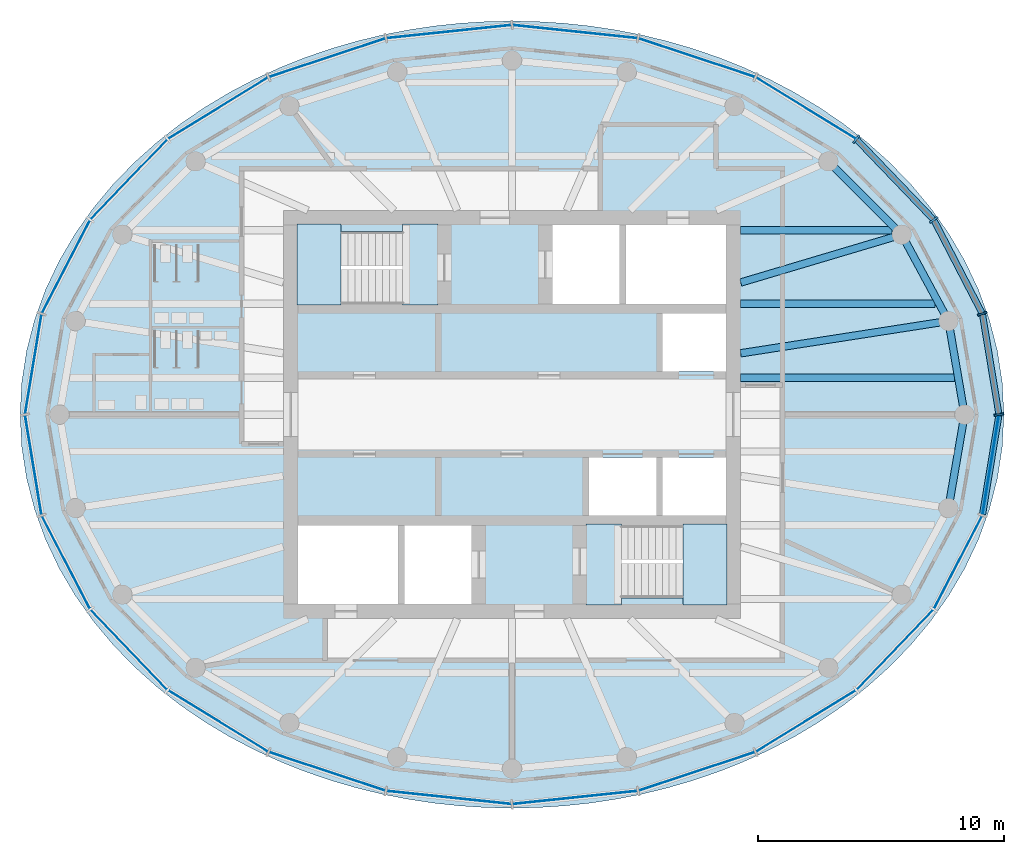
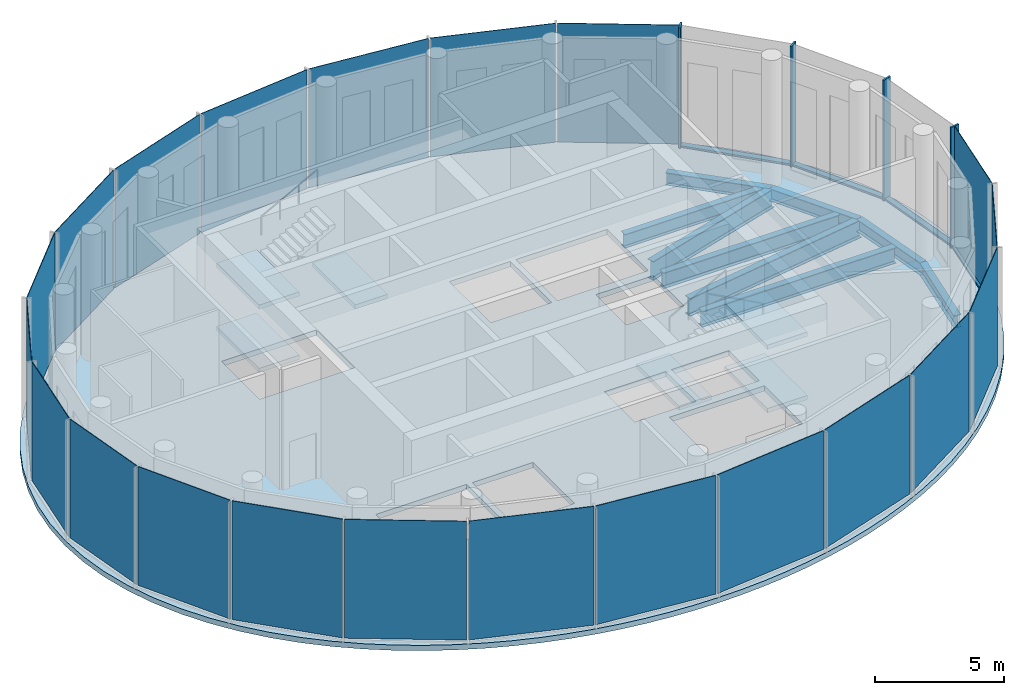
# One storey, part 3 of 11: 21 plates, 9 beams, 8 members, 7 slabs, 6 elements without a shape of their own.
"""IFC4 building model written with IfcOpenShell, lengths in metres."""

from ifc_helpers import new_model, si_unit, direction, frame, origin, origin_2d, place, context, subcontext, project, spatial, polyline, rectangle, i_section, outline, extrude, material, layer, layer_set, material_profile, profile_set, type_object, element, aggregate, save


model = new_model("IFC4")

# Units and contexts
model_context = context("Model", 3, precision=1e-05, world=origin(), true_north=direction((0.0, 1.0)))
body_context = subcontext(model_context, "Body", "Model", "MODEL_VIEW")
ifc_project = project(units=[si_unit("LENGTHUNIT", "METRE"), si_unit("AREAUNIT", "SQUARE_METRE"), si_unit("VOLUMEUNIT", "CUBIC_METRE"), si_unit("PLANEANGLEUNIT", "RADIAN"), si_unit("MASSUNIT", "GRAM", prefix="KILO")], contexts=[model_context])

# Site, building, storey
site_placement = place(None, origin())
site = spatial("IfcSite", under=ifc_project, at=site_placement, CompositionType="ELEMENT")
building_placement = place(site_placement, origin())
building = spatial("IfcBuilding", under=site, at=building_placement, Name="Hankou Lantern Tower", CompositionType="ELEMENT")
storey_placement = place(building_placement, frame((0.0, 0.0, 242.699951171875)))
storey = spatial("IfcBuildingStorey", under=building, at=storey_placement, Name="L65", CompositionType="ELEMENT", Elevation=242.699951171875)

# Beams
ifc_material_1 = material(Name="Steel Q355B", Category="steel")
ifc_material_profile_1 = material_profile(ifc_material_1, i_section(OverallWidth=0.300048828125, OverallDepth=0.587890625, WebThickness=0.011962890625, FlangeThickness=0.02001953125, FilletRadius=0.01806640625, at=origin_2d()), Name="HM588x300x12x20")
ifc_profile_set_1 = profile_set([ifc_material_profile_1], Name="Steel Q355B")
beam_type_1 = type_object("IfcBeamType", Name="EB16 RING BEAM HM588x300x12x20", PredefinedType="SPANDREL", material=ifc_profile_set_1)
beam_1_placement = place(storey_placement, frame((18.39990234375, 0.0, -0.5439453125), z_axis=(-0.169320180804, 0.98556109723, 0.0), x_axis=(-0.98556109723, -0.169320180804, 0.0)))
element("IfcBeam", 1, at=beam_1_placement, inside=storey, type_object=beam_type_1, Name="Ring beam R01-R02 L65", PredefinedType="SPANDREL", context=body_context, shape_type="SweptSolid", body=[
    extrude(i_section(OverallWidth=0.300048828125, OverallDepth=0.587890625, WebThickness=0.011962890625, FlangeThickness=0.02001953125, FilletRadius=0.01806640625, at=origin_2d()), origin(), (0.0, 0.0, 1.0), 3.85986328125),
])
beam_2_placement = place(storey_placement, frame((17.746337890625, 3.80419921875, -0.5439453125), z_axis=(-0.475556651725, 0.879685097634, 0.0), x_axis=(-0.879685097634, -0.475556651725, 0.0)))
element("IfcBeam", 2, at=beam_2_placement, inside=storey, type_object=beam_type_1, Name="Ring beam R02-R03 L65", PredefinedType="SPANDREL", context=body_context, shape_type="SweptSolid", body=[
    extrude(i_section(OverallWidth=0.300048828125, OverallDepth=0.587890625, WebThickness=0.011962890625, FlangeThickness=0.02001953125, FilletRadius=0.01806640625, at=origin_2d()), origin(), (0.0, 0.0, 1.0), 3.99560546875),
])
beam_3_placement = place(storey_placement, frame((15.84619140625, 7.319091796875, -0.5439453125), z_axis=(-0.707657475865, 0.706555657293, 0.0), x_axis=(-0.706555657293, -0.707657475865, 0.0)))
element("IfcBeam", 3, at=beam_3_placement, inside=storey, type_object=beam_type_1, Name="Ring beam R03-R04 L65", PredefinedType="SPANDREL", context=body_context, shape_type="SweptSolid", body=[
    extrude(i_section(OverallWidth=0.300048828125, OverallDepth=0.587890625, WebThickness=0.011962890625, FlangeThickness=0.02001953125, FilletRadius=0.01806640625, at=origin_2d()), origin(), (0.0, 0.0, 1.0), 4.2099609375),
])
beam_4_placement = place(storey_placement, frame((17.746337890625, -3.80419921875, -0.5439453125), z_axis=(0.169320180804, 0.98556109723, 0.0), x_axis=(-0.98556109723, 0.169320180804, 0.0)))
element("IfcBeam", 4, at=beam_4_placement, inside=storey, type_object=beam_type_1, Name="Ring beam R24-R01 L65", PredefinedType="SPANDREL", context=body_context, shape_type="SweptSolid", body=[
    extrude(i_section(OverallWidth=0.300048828125, OverallDepth=0.587890625, WebThickness=0.011962890625, FlangeThickness=0.02001953125, FilletRadius=0.01806640625, at=origin_2d()), origin(), (0.0, 0.0, 1.0), 3.85986328125),
])

# Curtain wall, members
ifc_material_2 = material(Name="Glass, dark grey tinted laminated", Category="glass")
curtain_wall_type = type_object("IfcCurtainWallType", Name="CWE OUTER SKIN CROWN", PredefinedType="USERDEFINED", material=ifc_material_2)
curtain_wall_1_placement = place(storey_placement, origin())
curtain_wall_1 = element("IfcCurtainWall", 5, at=curtain_wall_1_placement, inside=storey, type_object=curtain_wall_type, Name="CWE L65 OS1", ObjectType="OUTER SKIN CROWN", PredefinedType="USERDEFINED")
ifc_material_3 = material(Name="Aluminium, black anodised", Category="aluminium")
ifc_material_profile_2 = material_profile(ifc_material_3, rectangle(XDim=0.080078125, YDim=0.39990234375, at=origin_2d()), Name="MU3 80X400")
ifc_profile_set_2 = profile_set([ifc_material_profile_2], Name="Aluminium, black anodised")
member_type_1 = type_object("IfcMemberType", Name="MU3 OUTER SKIN TALL MULLION 80X400", PredefinedType="MULLION", material=ifc_profile_set_2)
member_1_placement = place(storey_placement, frame((19.800048828125, 0.0, 0.0), z_axis=(0.0, 0.0, 1.0), x_axis=(-0.162381515188, 0.986728049427, 0.0)))
member_1 = element("IfcMember", 6, at=member_1_placement, type_object=member_type_1, Name="CWE mullion 1", PredefinedType="MULLION", context=body_context, shape_type="SweptSolid", body=[
    extrude(rectangle(XDim=0.080078125, YDim=0.39990234375, at=origin_2d()), origin(), (0.0, 0.0, 1.0), 5.699951171875),
])
member_2_placement = place(storey_placement, frame((19.125244140625, 4.099609375, 0.0), z_axis=(0.0, 0.0, 1.0), x_axis=(-0.317595577365, 0.94822626479, 0.0)))
member_2 = element("IfcMember", 7, at=member_2_placement, type_object=member_type_1, Name="CWE mullion 2", PredefinedType="MULLION", context=body_context, shape_type="SweptSolid", body=[
    extrude(rectangle(XDim=0.080078125, YDim=0.39990234375, at=origin_2d()), origin(), (0.0, 0.0, 1.0), 5.699951171875),
])
member_3_placement = place(storey_placement, frame((17.147216796875, 7.919921875, 0.0), z_axis=(0.0, 0.0, 1.0), x_axis=(-0.585205735974, 0.810884854084, 0.0)))
member_3 = element("IfcMember", 8, at=member_3_placement, type_object=member_type_1, Name="CWE mullion 3", PredefinedType="MULLION", context=body_context, shape_type="SweptSolid", body=[
    extrude(rectangle(XDim=0.080078125, YDim=0.39990234375, at=origin_2d()), origin(), (0.0, 0.0, 1.0), 5.699951171875),
])
member_4_placement = place(storey_placement, frame((14.000732421875, 11.20068359375, 0.0), z_axis=(0.0, 0.0, 1.0), x_axis=(-0.780868809444, 0.624695047553, 0.0)))
member_4 = element("IfcMember", 9, at=member_4_placement, type_object=member_type_1, Name="CWE mullion 4", PredefinedType="MULLION", context=body_context, shape_type="SweptSolid", body=[
    extrude(rectangle(XDim=0.080078125, YDim=0.39990234375, at=origin_2d()), origin(), (0.0, 0.0, 1.0), 5.699951171875),
])

# Beams
ifc_material_4 = material(Name="Steel Q355B", Category="steel")
ifc_material_profile_3 = material_profile(ifc_material_4, i_section(OverallWidth=0.300048828125, OverallDepth=0.85009765625, WebThickness=0.01611328125, FlangeThickness=0.027099609375, FilletRadius=0.01806640625, at=origin_2d()), Name="HN850x300x16x27")
ifc_profile_set_3 = profile_set([ifc_material_profile_3], Name="Steel Q355B")
beam_type_2 = type_object("IfcBeamType", Name="RB12 RADIAL BEAM HN850x300x16x27", PredefinedType="BEAM", material=ifc_profile_set_3)
beam_5_placement = place(storey_placement, frame((9.300048828125, 2.491943359375, -0.675048828125), z_axis=(0.988145083079, 0.153522945472, 0.0), x_axis=(-0.153522945472, 0.988145083079, 0.0)))
element("IfcBeam", 10, at=beam_5_placement, inside=storey, type_object=beam_type_2, Name="Radial beam R02 L65", PredefinedType="BEAM", context=body_context, shape_type="SweptSolid", body=[
    extrude(i_section(OverallWidth=0.300048828125, OverallDepth=0.85009765625, WebThickness=0.01611328125, FlangeThickness=0.027099609375, FilletRadius=0.01806640625, at=origin_2d()), origin(), (0.0, 0.0, 1.0), 8.547607421875),
])
ifc_material_5 = material(Name="Steel Q355B", Category="steel")
ifc_material_profile_4 = material_profile(ifc_material_5, i_section(OverallWidth=0.300048828125, OverallDepth=0.89990234375, WebThickness=0.01611328125, FlangeThickness=0.028076171875, FilletRadius=0.01806640625, at=origin_2d()), Name="HN900x300x16x28")
ifc_profile_set_4 = profile_set([ifc_material_profile_4], Name="Steel Q355B")
beam_type_3 = type_object("IfcBeamType", Name="RB13 RADIAL BEAM HN900x300x16x28", PredefinedType="BEAM", material=ifc_profile_set_4)
beam_6_placement = place(storey_placement, frame((9.300048828125, 5.369384765625, -0.699951171875), z_axis=(0.958394006021, 0.285448645511, 0.0), x_axis=(-0.285448645511, 0.958394006021, 0.0)))
element("IfcBeam", 11, at=beam_6_placement, inside=storey, type_object=beam_type_3, Name="Radial beam R03 L65", PredefinedType="BEAM", context=body_context, shape_type="SweptSolid", body=[
    extrude(i_section(OverallWidth=0.300048828125, OverallDepth=0.89990234375, WebThickness=0.01611328125, FlangeThickness=0.028076171875, FilletRadius=0.01806640625, at=origin_2d()), origin(), (0.0, 0.0, 1.0), 6.830322265625),
])
ifc_material_6 = material(Name="Steel Q355B", Category="steel")
ifc_material_profile_5 = material_profile(ifc_material_6, i_section(OverallWidth=0.300048828125, OverallDepth=0.75, WebThickness=0.012939453125, FlangeThickness=0.02392578125, FilletRadius=0.01806640625, at=origin_2d()), Name="HN750x300x13x24")
ifc_profile_set_5 = profile_set([ifc_material_profile_5], Name="Steel Q355B")
beam_type_4 = type_object("IfcBeamType", Name="SB10 SECONDARY BEAM HN750x300x13x24", PredefinedType="JOIST", material=ifc_profile_set_5)
beam_7_placement = place(storey_placement, frame((9.300048828125, 1.5, -0.625), z_axis=(1.0, 0.0, 0.0), x_axis=(0.0, 1.0, 0.0)))
element("IfcBeam", 12, at=beam_7_placement, inside=storey, type_object=beam_type_4, Name="Floor joist J014 L65", PredefinedType="JOIST", context=body_context, shape_type="SweptSolid", body=[
    extrude(i_section(OverallWidth=0.300048828125, OverallDepth=0.75, WebThickness=0.012939453125, FlangeThickness=0.02392578125, FilletRadius=0.01806640625, at=origin_2d()), origin(), (0.0, 0.0, 1.0), 8.68994140625),
])
beam_8_placement = place(storey_placement, frame((9.300048828125, 4.5, -0.625), z_axis=(1.0, 0.0, 0.0), x_axis=(0.0, 1.0, 0.0)))
element("IfcBeam", 13, at=beam_8_placement, inside=storey, type_object=beam_type_4, Name="Floor joist J016 L65", PredefinedType="JOIST", context=body_context, shape_type="SweptSolid", body=[
    extrude(i_section(OverallWidth=0.300048828125, OverallDepth=0.75, WebThickness=0.012939453125, FlangeThickness=0.02392578125, FilletRadius=0.01806640625, at=origin_2d()), origin(), (0.0, 0.0, 1.0), 7.8994140625),
])
ifc_material_7 = material(Name="Steel Q355B", Category="steel")
ifc_material_profile_6 = material_profile(ifc_material_7, i_section(OverallWidth=0.300048828125, OverallDepth=0.64990234375, WebThickness=0.010986328125, FlangeThickness=0.01708984375, FilletRadius=0.01806640625, at=origin_2d()), Name="HN650x300x11x17")
ifc_profile_set_6 = profile_set([ifc_material_profile_6], Name="Steel Q355B")
beam_type_5 = type_object("IfcBeamType", Name="SB8 SECONDARY BEAM HN650x300x11x17", PredefinedType="JOIST", material=ifc_profile_set_6)
beam_9_placement = place(storey_placement, frame((9.300048828125, 7.5, -0.574951171875), z_axis=(1.0, 0.0, 0.0), x_axis=(0.0, 1.0, 0.0)))
element("IfcBeam", 14, at=beam_9_placement, inside=storey, type_object=beam_type_5, Name="Floor joist J018 L65", PredefinedType="JOIST", context=body_context, shape_type="SweptSolid", body=[
    extrude(i_section(OverallWidth=0.300048828125, OverallDepth=0.64990234375, WebThickness=0.010986328125, FlangeThickness=0.01708984375, FilletRadius=0.01806640625, at=origin_2d()), origin(), (0.0, 0.0, 1.0), 6.15234375),
])

# Member
ifc_material_8 = material(Name="Aluminium, black anodised", Category="aluminium")
ifc_material_profile_7 = material_profile(ifc_material_8, rectangle(XDim=0.25, YDim=0.080078125, at=origin_2d()), Name="TR3 250X80")
ifc_profile_set_7 = profile_set([ifc_material_profile_7], Name="Aluminium, black anodised")
member_type_2 = type_object("IfcMemberType", Name="TR3 OUTER SKIN TALL TRANSOM 250X80", PredefinedType="USERDEFINED", material=ifc_profile_set_7)
member_5_placement = place(storey_placement, frame((19.79345703125, 0.03955078125, 0.0400390625), z_axis=(-0.16236802655, 0.986730269098, 0.0), x_axis=(-0.986730269098, -0.16236802655, 0.0)))
member_5 = element("IfcMember", 15, at=member_5_placement, type_object=member_type_2, Name="CWE transom 1", ObjectType="TRANSOM", PredefinedType="USERDEFINED", context=body_context, shape_type="SweptSolid", body=[
    extrude(rectangle(XDim=0.25, YDim=0.080078125, at=origin_2d()), origin(), (0.0, 0.0, 1.0), 4.07470703125),
])

member_6_placement = place(storey_placement, frame((19.10693359375, 4.13525390625, 0.0400390625), z_axis=(-0.459775263862, 0.888035307148, 0.0), x_axis=(-0.888035307148, -0.459775263862, 0.0)))
member_6 = element("IfcMember", 16, at=member_6_placement, type_object=member_type_2, Name="CWE transom 2", ObjectType="TRANSOM", PredefinedType="USERDEFINED", context=body_context, shape_type="SweptSolid", body=[
    extrude(rectangle(XDim=0.25, YDim=0.080078125, at=origin_2d()), origin(), (0.0, 0.0, 1.0), 4.221923828125),
])

member_7_placement = place(storey_placement, frame((17.11962890625, 7.948974609375, 0.0400390625), z_axis=(-0.692247265369, 0.72166039353, 0.0), x_axis=(-0.72166039353, -0.692247265369, 0.0)))
member_7 = element("IfcMember", 17, at=member_7_placement, type_object=member_type_2, Name="CWE transom 3", ObjectType="TRANSOM", PredefinedType="USERDEFINED", context=body_context, shape_type="SweptSolid", body=[
    extrude(rectangle(XDim=0.25, YDim=0.080078125, at=origin_2d()), origin(), (0.0, 0.0, 1.0), 4.465576171875),
])

# Curtain wall, member
curtain_wall_2_placement = place(storey_placement, origin())
curtain_wall_2 = element("IfcCurtainWall", 18, at=curtain_wall_2_placement, inside=storey, type_object=curtain_wall_type, Name="CWE L65 OS4", ObjectType="OUTER SKIN CROWN", PredefinedType="USERDEFINED")
member_8_placement = place(storey_placement, frame((19.1318359375, -4.060302734375, 0.0400390625), z_axis=(0.16236802655, 0.986730269098, 0.0), x_axis=(-0.986730269098, 0.16236802655, 0.0)))
member_8 = element("IfcMember", 19, at=member_8_placement, type_object=member_type_2, Name="CWE transom 6", ObjectType="TRANSOM", PredefinedType="USERDEFINED", context=body_context, shape_type="SweptSolid", body=[
    extrude(rectangle(XDim=0.25, YDim=0.080078125, at=origin_2d()), origin(), (0.0, 0.0, 1.0), 4.07470703125),
])

# Plate
ifc_material_9 = material(Name="Glass, dark grey tinted laminated", Category="glass")
ifc_layer_1 = layer(ifc_material_9, 0.028076171875)
ifc_layer_set_1 = layer_set([ifc_layer_1], Name="Glass, dark grey tinted laminated")
plate_type = type_object("IfcPlateType", Name="PN3 OUTER SKIN TALL GLASS PANEL", PredefinedType="CURTAIN_PANEL", material=ifc_layer_set_1)
plate_1_placement = place(storey_placement, frame((11.950439453125, 12.459228515625, 0.080078125), z_axis=(0.0, 0.0, 1.0), x_axis=(-0.852237151549, 0.523155653242, 0.0)))
plate_1 = element("IfcPlate", 20, at=plate_1_placement, type_object=plate_type, Name="CWE glass panel 4", PredefinedType="CURTAIN_PANEL", context=body_context, shape_type="SweptSolid", body=[
    extrude(rectangle(XDim=4.731689453125, YDim=0.028076171875, at=origin_2d()), origin(), (0.0, 0.0, 1.0), 5.6201171875),
])

plate_2_placement = place(storey_placement, frame((7.51220703125, 14.509033203125, 0.080078125), z_axis=(0.0, 0.0, 1.0), x_axis=(-0.949240677293, 0.31455068999, 0.0)))
plate_2 = element("IfcPlate", 21, at=plate_2_placement, type_object=plate_type, Name="CWE glass panel 5", PredefinedType="CURTAIN_PANEL", context=body_context, shape_type="SweptSolid", body=[
    extrude(rectangle(XDim=4.95068359375, YDim=0.028076171875, at=origin_2d()), origin(), (0.0, 0.0, 1.0), 5.6201171875),
])

plate_3_placement = place(storey_placement, frame((2.562255859375, 15.570068359375, 0.080078125), z_axis=(0.0, 0.0, 1.0), x_axis=(-0.994499359107, 0.104742659579, 0.0)))
plate_3 = element("IfcPlate", 22, at=plate_3_placement, type_object=plate_type, Name="CWE glass panel 6", PredefinedType="CURTAIN_PANEL", context=body_context, shape_type="SweptSolid", body=[
    extrude(rectangle(XDim=5.072998046875, YDim=0.028076171875, at=origin_2d()), origin(), (0.0, 0.0, 1.0), 5.6201171875),
])

aggregate(curtain_wall_1, [member_1, member_2, member_3, member_4, member_5, member_6, member_7, plate_1, plate_2, plate_3])

# Curtain wall, plates
curtain_wall_3_placement = place(storey_placement, origin())
curtain_wall_3 = element("IfcCurtainWall", 23, at=curtain_wall_3_placement, inside=storey, type_object=curtain_wall_type, Name="CWE L65 OS2", ObjectType="OUTER SKIN CROWN", PredefinedType="USERDEFINED")
plate_4_placement = place(storey_placement, frame((-2.562255859375, 15.570068359375, 0.080078125), z_axis=(0.0, 0.0, 1.0), x_axis=(-0.994499359107, -0.104742659579, 0.0)))
plate_4 = element("IfcPlate", 24, at=plate_4_placement, type_object=plate_type, Name="CWE glass panel 1", PredefinedType="CURTAIN_PANEL", context=body_context, shape_type="SweptSolid", body=[
    extrude(rectangle(XDim=5.072998046875, YDim=0.028076171875, at=origin_2d()), origin(), (0.0, 0.0, 1.0), 5.6201171875),
])
plate_5_placement = place(storey_placement, frame((-7.51220703125, 14.509033203125, 0.080078125), z_axis=(0.0, 0.0, 1.0), x_axis=(-0.949240677293, -0.31455068999, 0.0)))
plate_5 = element("IfcPlate", 25, at=plate_5_placement, type_object=plate_type, Name="CWE glass panel 2", PredefinedType="CURTAIN_PANEL", context=body_context, shape_type="SweptSolid", body=[
    extrude(rectangle(XDim=4.95068359375, YDim=0.028076171875, at=origin_2d()), origin(), (0.0, 0.0, 1.0), 5.6201171875),
])
plate_6_placement = place(storey_placement, frame((-11.950439453125, 12.459228515625, 0.080078125), z_axis=(0.0, 0.0, 1.0), x_axis=(-0.852237151549, -0.523155653242, 0.0)))
plate_6 = element("IfcPlate", 26, at=plate_6_placement, type_object=plate_type, Name="CWE glass panel 3", PredefinedType="CURTAIN_PANEL", context=body_context, shape_type="SweptSolid", body=[
    extrude(rectangle(XDim=4.731689453125, YDim=0.028076171875, at=origin_2d()), origin(), (0.0, 0.0, 1.0), 5.6201171875),
])
plate_7_placement = place(storey_placement, frame((-15.573974609375, 9.560302734375, 0.080078125), z_axis=(0.0, 0.0, 1.0), x_axis=(-0.692215809936, -0.721690565599, 0.0)))
plate_7 = element("IfcPlate", 27, at=plate_7_placement, type_object=plate_type, Name="CWE glass panel 4", PredefinedType="CURTAIN_PANEL", context=body_context, shape_type="SweptSolid", body=[
    extrude(rectangle(XDim=4.465576171875, YDim=0.028076171875, at=origin_2d()), origin(), (0.0, 0.0, 1.0), 5.6201171875),
])
plate_8_placement = place(storey_placement, frame((-18.13623046875, 6.009765625, 0.080078125), z_axis=(0.0, 0.0, 1.0), x_axis=(-0.459791091957, -0.888027112062, 0.0)))
plate_8 = element("IfcPlate", 28, at=plate_8_placement, type_object=plate_type, Name="CWE glass panel 5", PredefinedType="CURTAIN_PANEL", context=body_context, shape_type="SweptSolid", body=[
    extrude(rectangle(XDim=4.221923828125, YDim=0.028076171875, at=origin_2d()), origin(), (0.0, 0.0, 1.0), 5.6201171875),
])
plate_9_placement = place(storey_placement, frame((-19.462646484375, 2.0498046875, 0.080078125), z_axis=(0.0, 0.0, 1.0), x_axis=(-0.162381515188, -0.986728049427, 0.0)))
plate_9 = element("IfcPlate", 29, at=plate_9_placement, type_object=plate_type, Name="CWE glass panel 6", PredefinedType="CURTAIN_PANEL", context=body_context, shape_type="SweptSolid", body=[
    extrude(rectangle(XDim=4.074951171875, YDim=0.028076171875, at=origin_2d()), origin(), (0.0, 0.0, 1.0), 5.6201171875),
])
aggregate(curtain_wall_3, [plate_4, plate_5, plate_6, plate_7, plate_8, plate_9])

curtain_wall_4_placement = place(storey_placement, origin())
curtain_wall_4 = element("IfcCurtainWall", 30, at=curtain_wall_4_placement, inside=storey, type_object=curtain_wall_type, Name="CWE L65 OS3", ObjectType="OUTER SKIN CROWN", PredefinedType="USERDEFINED")
plate_10_placement = place(storey_placement, frame((-19.462646484375, -2.0498046875, 0.080078125), z_axis=(0.0, 0.0, 1.0), x_axis=(0.162381515188, -0.986728049427, 0.0)))
plate_10 = element("IfcPlate", 31, at=plate_10_placement, type_object=plate_type, Name="CWE glass panel 1", PredefinedType="CURTAIN_PANEL", context=body_context, shape_type="SweptSolid", body=[
    extrude(rectangle(XDim=4.074951171875, YDim=0.028076171875, at=origin_2d()), origin(), (0.0, 0.0, 1.0), 5.6201171875),
])
plate_11_placement = place(storey_placement, frame((-18.13623046875, -6.009765625, 0.080078125), z_axis=(0.0, 0.0, 1.0), x_axis=(0.459791091957, -0.888027112062, 0.0)))
plate_11 = element("IfcPlate", 32, at=plate_11_placement, type_object=plate_type, Name="CWE glass panel 2", PredefinedType="CURTAIN_PANEL", context=body_context, shape_type="SweptSolid", body=[
    extrude(rectangle(XDim=4.221923828125, YDim=0.028076171875, at=origin_2d()), origin(), (0.0, 0.0, 1.0), 5.6201171875),
])
plate_12_placement = place(storey_placement, frame((-15.573974609375, -9.560302734375, 0.080078125), z_axis=(0.0, 0.0, 1.0), x_axis=(0.692215809936, -0.721690565599, 0.0)))
plate_12 = element("IfcPlate", 33, at=plate_12_placement, type_object=plate_type, Name="CWE glass panel 3", PredefinedType="CURTAIN_PANEL", context=body_context, shape_type="SweptSolid", body=[
    extrude(rectangle(XDim=4.465576171875, YDim=0.028076171875, at=origin_2d()), origin(), (0.0, 0.0, 1.0), 5.6201171875),
])
plate_13_placement = place(storey_placement, frame((-11.950439453125, -12.459228515625, 0.080078125), z_axis=(0.0, 0.0, 1.0), x_axis=(0.852237151549, -0.523155653242, 0.0)))
plate_13 = element("IfcPlate", 34, at=plate_13_placement, type_object=plate_type, Name="CWE glass panel 4", PredefinedType="CURTAIN_PANEL", context=body_context, shape_type="SweptSolid", body=[
    extrude(rectangle(XDim=4.731689453125, YDim=0.028076171875, at=origin_2d()), origin(), (0.0, 0.0, 1.0), 5.6201171875),
])
plate_14_placement = place(storey_placement, frame((-7.51220703125, -14.509033203125, 0.080078125), z_axis=(0.0, 0.0, 1.0), x_axis=(0.949240677293, -0.31455068999, 0.0)))
plate_14 = element("IfcPlate", 35, at=plate_14_placement, type_object=plate_type, Name="CWE glass panel 5", PredefinedType="CURTAIN_PANEL", context=body_context, shape_type="SweptSolid", body=[
    extrude(rectangle(XDim=4.95068359375, YDim=0.028076171875, at=origin_2d()), origin(), (0.0, 0.0, 1.0), 5.6201171875),
])
plate_15_placement = place(storey_placement, frame((-2.562255859375, -15.570068359375, 0.080078125), z_axis=(0.0, 0.0, 1.0), x_axis=(0.994499359107, -0.104742659579, 0.0)))
plate_15 = element("IfcPlate", 36, at=plate_15_placement, type_object=plate_type, Name="CWE glass panel 6", PredefinedType="CURTAIN_PANEL", context=body_context, shape_type="SweptSolid", body=[
    extrude(rectangle(XDim=5.072998046875, YDim=0.028076171875, at=origin_2d()), origin(), (0.0, 0.0, 1.0), 5.6201171875),
])
aggregate(curtain_wall_4, [plate_10, plate_11, plate_12, plate_13, plate_14, plate_15])

# Plate
plate_16_placement = place(storey_placement, frame((2.562255859375, -15.570068359375, 0.080078125), z_axis=(0.0, 0.0, 1.0), x_axis=(0.994499359107, 0.104742659579, 0.0)))
plate_16 = element("IfcPlate", 37, at=plate_16_placement, type_object=plate_type, Name="CWE glass panel 1", PredefinedType="CURTAIN_PANEL", context=body_context, shape_type="SweptSolid", body=[
    extrude(rectangle(XDim=5.072998046875, YDim=0.028076171875, at=origin_2d()), origin(), (0.0, 0.0, 1.0), 5.6201171875),
])

plate_17_placement = place(storey_placement, frame((7.51220703125, -14.509033203125, 0.080078125), z_axis=(0.0, 0.0, 1.0), x_axis=(0.949240677293, 0.31455068999, 0.0)))
plate_17 = element("IfcPlate", 38, at=plate_17_placement, type_object=plate_type, Name="CWE glass panel 2", PredefinedType="CURTAIN_PANEL", context=body_context, shape_type="SweptSolid", body=[
    extrude(rectangle(XDim=4.95068359375, YDim=0.028076171875, at=origin_2d()), origin(), (0.0, 0.0, 1.0), 5.6201171875),
])

plate_18_placement = place(storey_placement, frame((11.950439453125, -12.459228515625, 0.080078125), z_axis=(0.0, 0.0, 1.0), x_axis=(0.852237151549, 0.523155653242, 0.0)))
plate_18 = element("IfcPlate", 39, at=plate_18_placement, type_object=plate_type, Name="CWE glass panel 3", PredefinedType="CURTAIN_PANEL", context=body_context, shape_type="SweptSolid", body=[
    extrude(rectangle(XDim=4.731689453125, YDim=0.028076171875, at=origin_2d()), origin(), (0.0, 0.0, 1.0), 5.6201171875),
])

plate_19_placement = place(storey_placement, frame((15.573974609375, -9.560302734375, 0.080078125), z_axis=(0.0, 0.0, 1.0), x_axis=(0.692215809936, 0.721690565599, 0.0)))
plate_19 = element("IfcPlate", 40, at=plate_19_placement, type_object=plate_type, Name="CWE glass panel 4", PredefinedType="CURTAIN_PANEL", context=body_context, shape_type="SweptSolid", body=[
    extrude(rectangle(XDim=4.465576171875, YDim=0.028076171875, at=origin_2d()), origin(), (0.0, 0.0, 1.0), 5.6201171875),
])

plate_20_placement = place(storey_placement, frame((18.13623046875, -6.009765625, 0.080078125), z_axis=(0.0, 0.0, 1.0), x_axis=(0.459791091957, 0.888027112062, 0.0)))
plate_20 = element("IfcPlate", 41, at=plate_20_placement, type_object=plate_type, Name="CWE glass panel 5", PredefinedType="CURTAIN_PANEL", context=body_context, shape_type="SweptSolid", body=[
    extrude(rectangle(XDim=4.221923828125, YDim=0.028076171875, at=origin_2d()), origin(), (0.0, 0.0, 1.0), 5.6201171875),
])

plate_21_placement = place(storey_placement, frame((19.462646484375, -2.0498046875, 0.080078125), z_axis=(0.0, 0.0, 1.0), x_axis=(0.162381515188, 0.986728049427, 0.0)))
plate_21 = element("IfcPlate", 42, at=plate_21_placement, type_object=plate_type, Name="CWE glass panel 6", PredefinedType="CURTAIN_PANEL", context=body_context, shape_type="SweptSolid", body=[
    extrude(rectangle(XDim=4.074951171875, YDim=0.028076171875, at=origin_2d()), origin(), (0.0, 0.0, 1.0), 5.6201171875),
])

aggregate(curtain_wall_2, [plate_16, plate_17, plate_18, plate_19, plate_20, member_8, plate_21])

# Slab
ifc_material_10 = material(Name="Concrete C50", Category="concrete")
ifc_layer_2 = layer(ifc_material_10, 0.25)
ifc_layer_set_2 = layer_set([ifc_layer_2], Name="Concrete C50")
slab_type_1 = type_object("IfcSlabType", Name="S2 HEAVY FLOOR SLAB 250", PredefinedType="FLOOR", material=ifc_layer_set_2)
slab_1_placement = place(storey_placement, frame((0.0, 0.0, -0.25)))
element("IfcSlab", 43, at=slab_1_placement, inside=storey, type_object=slab_type_1, Name="Floor slab L65", PredefinedType="FLOOR", context=body_context, shape_type="SweptSolid", body=[
    extrude(outline(polyline([(20.0, 0.0), (19.93310546875, 1.306396484375), (19.734619140625, 2.59814453125), (19.408935546875, 3.860595703125), (18.964599609375, 5.08154296875), (18.4111328125, 6.249755859375), (17.760498046875, 7.356689453125), (17.025146484375, 8.39599609375), (16.2177734375, 9.36328125), (15.35009765625, 10.256591796875), (14.433837890625, 11.075439453125), (13.478759765625, 11.820556640625), (12.493896484375, 12.493896484375), (11.486572265625, 13.097900390625), (10.463134765625, 13.6357421875), (9.428466796875, 14.110595703125), (8.38623046875, 14.525390625), (7.33984375, 14.883544921875), (6.291015625, 15.187744140625), (5.241455078125, 15.440673828125), (4.19189453125, 15.64453125), (3.14306640625, 15.80126953125), (2.094970703125, 15.912109375), (1.04736328125, 15.97802734375), (0.0, 16.0), (-1.04736328125, 15.97802734375), (-2.094970703125, 15.912109375), (-3.14306640625, 15.80126953125), (-4.19189453125, 15.64453125), (-5.241455078125, 15.440673828125), (-6.291015625, 15.187744140625), (-7.33984375, 14.883544921875), (-8.38623046875, 14.525390625), (-9.428466796875, 14.110595703125), (-10.463134765625, 13.6357421875), (-11.486572265625, 13.097900390625), (-12.493896484375, 12.493896484375), (-13.478759765625, 11.820556640625), (-14.433837890625, 11.075439453125), (-15.35009765625, 10.256591796875), (-16.2177734375, 9.36328125), (-17.025146484375, 8.39599609375), (-17.760498046875, 7.356689453125), (-18.4111328125, 6.249755859375), (-18.964599609375, 5.08154296875), (-19.408935546875, 3.860595703125), (-19.734619140625, 2.59814453125), (-19.93310546875, 1.306396484375), (-20.0, 0.0), (-19.93310546875, -1.306396484375), (-19.734619140625, -2.59814453125), (-19.408935546875, -3.860595703125), (-18.964599609375, -5.08154296875), (-18.4111328125, -6.249755859375), (-17.760498046875, -7.356689453125), (-17.025146484375, -8.39599609375), (-16.2177734375, -9.36328125), (-15.35009765625, -10.256591796875), (-14.433837890625, -11.075439453125), (-13.478759765625, -11.820556640625), (-12.493896484375, -12.493896484375), (-11.486572265625, -13.097900390625), (-10.463134765625, -13.6357421875), (-9.428466796875, -14.110595703125), (-8.38623046875, -14.525390625), (-7.33984375, -14.883544921875), (-6.291015625, -15.187744140625), (-5.241455078125, -15.440673828125), (-4.19189453125, -15.64453125), (-3.14306640625, -15.80126953125), (-2.094970703125, -15.912109375), (-1.04736328125, -15.97802734375), (0.0, -16.0), (1.04736328125, -15.97802734375), (2.094970703125, -15.912109375), (3.14306640625, -15.80126953125), (4.19189453125, -15.64453125), (5.241455078125, -15.440673828125), (6.291015625, -15.187744140625), (7.33984375, -14.883544921875), (8.38623046875, -14.525390625), (9.428466796875, -14.110595703125), (10.463134765625, -13.6357421875), (11.486572265625, -13.097900390625), (12.493896484375, -12.493896484375), (13.478759765625, -11.820556640625), (14.433837890625, -11.075439453125), (15.35009765625, -10.256591796875), (16.2177734375, -9.36328125), (17.025146484375, -8.39599609375), (17.760498046875, -7.356689453125), (18.4111328125, -6.249755859375), (18.964599609375, -5.08154296875), (19.408935546875, -3.860595703125), (19.734619140625, -2.59814453125), (19.93310546875, -1.306396484375), (20.0, 0.0)]), holes=[polyline([(6.125, 4.10009765625), (8.699951171875, 4.10009765625), (8.699951171875, 1.75), (6.125, 1.75), (6.125, 4.10009765625)]), polyline([(3.125, -1.75), (5.875, -1.75), (5.875, -4.10009765625), (3.125, -4.10009765625), (3.125, -1.75)]), polyline([(6.125, -1.75), (8.699951171875, -1.75), (8.699951171875, -4.10009765625), (6.125, -4.10009765625), (6.125, -1.75)]), polyline([(1.64990234375, 7.699951171875), (4.375, 7.699951171875), (4.375, 4.5), (1.64990234375, 4.5), (1.64990234375, 7.699951171875)]), polyline([(-4.375, -4.5), (-1.64990234375, -4.5), (-1.64990234375, -7.699951171875), (-4.375, -7.699951171875), (-4.375, -4.5)]), polyline([(-8.699951171875, 7.449951171875), (-4.449951171875, 7.449951171875), (-4.449951171875, 4.5), (-8.699951171875, 4.5), (-8.699951171875, 7.449951171875)]), polyline([(4.449951171875, -4.5), (8.699951171875, -4.5), (8.699951171875, -7.449951171875), (4.449951171875, -7.449951171875), (4.449951171875, -4.5)]), polyline([(4.625, 7.699951171875), (8.699951171875, 7.699951171875), (8.699951171875, 4.5), (4.625, 4.5), (4.625, 7.699951171875)]), polyline([(-8.699951171875, -4.5), (-4.625, -4.5), (-4.625, -7.699951171875), (-8.699951171875, -7.699951171875), (-8.699951171875, -4.5)])]), origin(), (0.0, 0.0, 1.0), 0.25),
])

# Stair, slabs
ifc_material_11 = material(Name="Concrete C40", Category="concrete")
stair_type = type_object("IfcStairType", Name="ST60 CORE STAIR 6000 RISE", PredefinedType="HALF_TURN_STAIR", material=ifc_material_11)
stair_1_placement = place(storey_placement, origin())
stair_1 = element("IfcStair", 44, at=stair_1_placement, inside=storey, type_object=stair_type, Name="Stair STA L65", PredefinedType="HALF_TURN_STAIR")
ifc_material_12 = material(Name="Concrete C40", Category="concrete")
ifc_layer_3 = layer(ifc_material_12, 0.199951171875)
ifc_layer_set_3 = layer_set([ifc_layer_3], Name="Concrete C40")
slab_type_2 = type_object("IfcSlabType", Name="SL1 STAIR LANDING 200", PredefinedType="LANDING", material=ifc_layer_set_3)
slab_2_placement = place(storey_placement, frame((0.0, 0.0, 1.300048828125)))
slab_2 = element("IfcSlab", 45, at=slab_2_placement, type_object=slab_type_2, Name="STA landing 1", PredefinedType="LANDING", context=body_context, shape_type="SweptSolid", body=[
    extrude(outline(polyline([(-8.75, 4.449951171875), (-6.949951171875, 4.449951171875), (-6.949951171875, 7.75), (-8.75, 7.75), (-8.75, 4.449951171875)])), origin(), (0.0, 0.0, 1.0), 0.199951171875),
])
slab_3_placement = place(storey_placement, frame((0.0, 0.0, 2.800048828125)))
slab_3 = element("IfcSlab", 46, at=slab_3_placement, type_object=slab_type_2, Name="STA landing 2", PredefinedType="LANDING", context=body_context, shape_type="SweptSolid", body=[
    extrude(outline(polyline([(-4.449951171875, 4.449951171875), (-3.0, 4.449951171875), (-3.0, 7.75), (-4.449951171875, 7.75), (-4.449951171875, 4.449951171875)])), origin(), (0.0, 0.0, 1.0), 0.199951171875),
])
slab_4_placement = place(storey_placement, frame((0.0, 0.0, 4.300048828125)))
slab_4 = element("IfcSlab", 47, at=slab_4_placement, type_object=slab_type_2, Name="STA landing 3", PredefinedType="LANDING", context=body_context, shape_type="SweptSolid", body=[
    extrude(outline(polyline([(-8.75, 4.449951171875), (-6.949951171875, 4.449951171875), (-6.949951171875, 7.75), (-8.75, 7.75), (-8.75, 4.449951171875)])), origin(), (0.0, 0.0, 1.0), 0.199951171875),
])
aggregate(stair_1, [slab_2, slab_3, slab_4])

stair_2_placement = place(storey_placement, origin())
stair_2 = element("IfcStair", 48, at=stair_2_placement, inside=storey, type_object=stair_type, Name="Stair STB L65", PredefinedType="HALF_TURN_STAIR")
slab_5_placement = place(storey_placement, frame((0.0, 0.0, 1.300048828125)))
slab_5 = element("IfcSlab", 49, at=slab_5_placement, type_object=slab_type_2, Name="STB landing 1", PredefinedType="LANDING", context=body_context, shape_type="SweptSolid", body=[
    extrude(outline(polyline([(8.75, -4.449951171875), (6.949951171875, -4.449951171875), (6.949951171875, -7.75), (8.75, -7.75), (8.75, -4.449951171875)])), origin(), (0.0, 0.0, 1.0), 0.199951171875),
])
slab_6_placement = place(storey_placement, frame((0.0, 0.0, 2.800048828125)))
slab_6 = element("IfcSlab", 50, at=slab_6_placement, type_object=slab_type_2, Name="STB landing 2", PredefinedType="LANDING", context=body_context, shape_type="SweptSolid", body=[
    extrude(outline(polyline([(4.449951171875, -4.449951171875), (3.0, -4.449951171875), (3.0, -7.75), (4.449951171875, -7.75), (4.449951171875, -4.449951171875)])), origin(), (0.0, 0.0, 1.0), 0.199951171875),
])
slab_7_placement = place(storey_placement, frame((0.0, 0.0, 4.300048828125)))
slab_7 = element("IfcSlab", 51, at=slab_7_placement, type_object=slab_type_2, Name="STB landing 3", PredefinedType="LANDING", context=body_context, shape_type="SweptSolid", body=[
    extrude(outline(polyline([(8.75, -4.449951171875), (6.949951171875, -4.449951171875), (6.949951171875, -7.75), (8.75, -7.75), (8.75, -4.449951171875)])), origin(), (0.0, 0.0, 1.0), 0.199951171875),
])
aggregate(stair_2, [slab_5, slab_6, slab_7])

save(model, "model.ifc")
